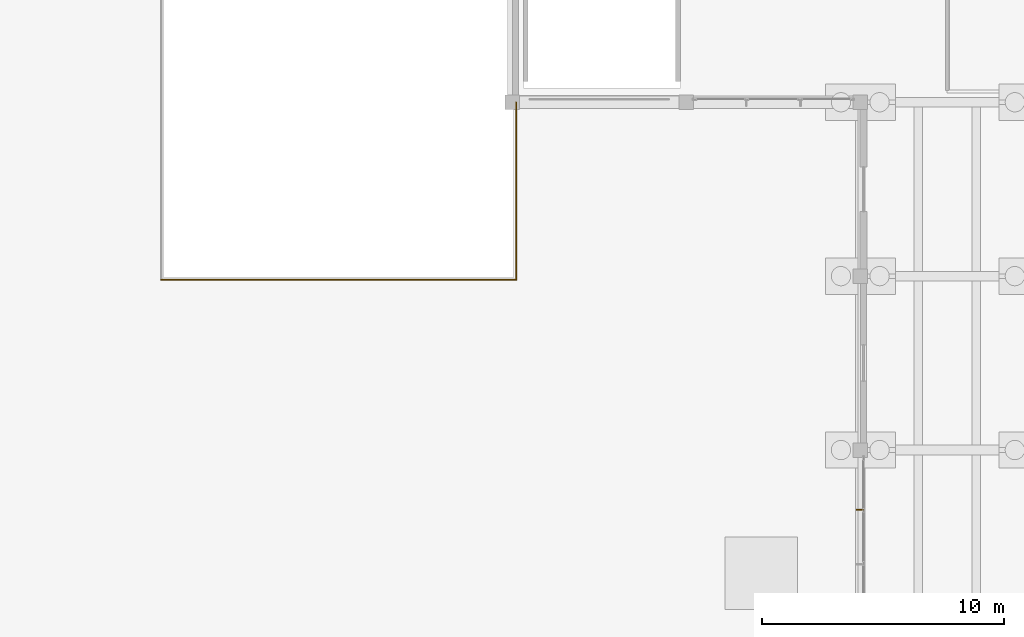
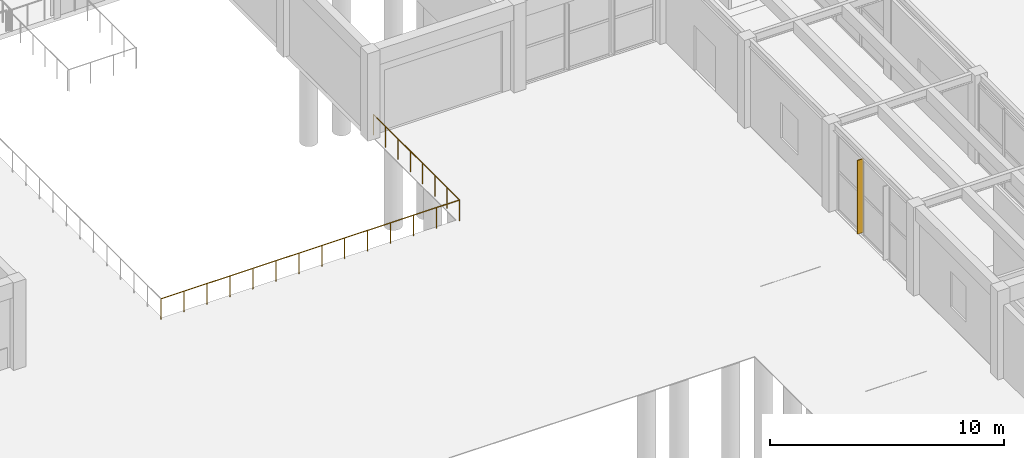
# One storey, part 132 of 155: 2 railings, 1 shading device.
"""IFC4 building model written with IfcOpenShell, lengths in metres."""

import ifcopenshell
import ifcopenshell.guid

model = None  # the IFC model being written
_history = None  # IfcOwnerHistory: only IFC2X3 demands one
_inside = {}  # id of a spatial element -> (the spatial element, [elements in it])
_under = {}  # id of a project, library or spatial element -> (it, [spatial elements below it])
_declared = {}  # id of a project -> (the project, [libraries it declares])
_typed = {}  # id of a type object -> (the type object, [elements of that type])
_made_of = {}  # id of a material, layer set ... -> (it, [elements and type objects made of it])


def new_model(schema):
    """Start an empty IFC model of exactly this schema.

    Asked for "IFC4X3", IfcOpenShell would pick the latest addendum, in which some entities
    have other attributes; the version numbers below select the first issue.
    IFC2X3 requires an IfcOwnerHistory on every rooted entity: one is made here for all.
    """
    global model, _history
    if schema == "IFC4X3":
        model = ifcopenshell.file(schema_version=(4, 3, 0, 0))
    else:
        model = ifcopenshell.file(schema=schema)
    _inside.clear()
    _under.clear()
    _declared.clear()
    _typed.clear()
    _made_of.clear()
    _history = None
    if model.schema == "IFC2X3":
        org = make("IfcOrganization", Name="unknown")
        user = make(
            "IfcPersonAndOrganization",
            ThePerson=make("IfcPerson", FamilyName="unknown"),
            TheOrganization=org,
        )
        app = make(
            "IfcApplication",
            ApplicationDeveloper=org,
            Version="unknown",
            ApplicationFullName="unknown",
            ApplicationIdentifier="unknown",
        )
        _history = make(
            "IfcOwnerHistory",
            OwningUser=user,
            OwningApplication=app,
            ChangeAction="ADDED",
            CreationDate=0,
        )
    return model


def make(cls, **values):
    """One entity of the class cls with the attributes given. An attribute that is None is left unset."""
    return model.create_entity(
        cls, **{name: value for name, value in values.items() if value is not None}
    )


def rooted(cls, **values):
    """An entity with a GlobalId (a new one), such as an element, a storey or a relation."""
    return make(cls, GlobalId=ifcopenshell.guid.new(), OwnerHistory=_history, **values)


def si_unit(unit_type, name, prefix=None):
    """IfcSIUnit, for example si_unit("LENGTHUNIT", "METRE", prefix="MILLI")."""
    return make("IfcSIUnit", UnitType=unit_type, Prefix=prefix, Name=name)


def assignment(units):
    """IfcUnitAssignment: the units of a project."""
    return None if units is None else make("IfcUnitAssignment", Units=units)


def point(xyz):
    """IfcCartesianPoint."""
    return None if xyz is None else make("IfcCartesianPoint", Coordinates=xyz)


def direction(xyz):
    """IfcDirection."""
    return None if xyz is None else make("IfcDirection", DirectionRatios=xyz)


def frame(location, z_axis=None, x_axis=None):
    """IfcAxis2Placement3D, a coordinate frame: its origin and axes. An axis left out is left unset."""
    return make(
        "IfcAxis2Placement3D",
        Location=point(location),
        Axis=direction(z_axis),
        RefDirection=direction(x_axis),
    )


def frame_2d(location, x_axis=None):
    """IfcAxis2Placement2D, a coordinate frame in the plane: its origin and x axis."""
    return make(
        "IfcAxis2Placement2D", Location=point(location), RefDirection=direction(x_axis)
    )


def origin():
    """The frame at (0, 0, 0) with its axes left unset."""
    return frame((0.0, 0.0, 0.0))


def origin_2d():
    """The frame at (0, 0) in the plane with its x axis left unset."""
    return frame_2d((0.0, 0.0))


def place(relative_to, where):
    """IfcLocalPlacement: puts the frame where relative to a parent placement (None: the world)."""
    return make(
        "IfcLocalPlacement", PlacementRelTo=relative_to, RelativePlacement=where
    )


def context(
    kind, dimensions, precision=None, world=None, true_north=None, identifier=None
):
    """IfcGeometricRepresentationContext, for example the 3D "Model" context."""
    return make(
        "IfcGeometricRepresentationContext",
        ContextIdentifier=identifier,
        ContextType=kind,
        CoordinateSpaceDimension=dimensions,
        Precision=precision,
        WorldCoordinateSystem=world,
        TrueNorth=true_north,
    )


def subcontext(parent, identifier, kind, view, scale=None):
    """IfcGeometricRepresentationSubContext, for example "Body" below "Model"."""
    return make(
        "IfcGeometricRepresentationSubContext",
        ContextIdentifier=identifier,
        ContextType=kind,
        ParentContext=parent,
        TargetScale=scale,
        TargetView=view,
    )


def project(units=None, contexts=None):
    """IfcProject with its units and contexts."""
    return rooted(
        "IfcProject",
        Name="project",
        RepresentationContexts=contexts,
        UnitsInContext=assignment(units),
    )


def spatial(cls, under=None, at=None, **own):
    """A site, building, storey or space (cls), placed at a placement, below another one or the project."""
    s = rooted(cls, ObjectPlacement=at, **own)
    if under is not None:
        _under.setdefault(under.id(), (under, []))[1].append(s)
    return s


def profile(cls, at=None, kind="AREA", **sizes):
    """A parametric profile (cls). Its sizes go by their IFC names, for example OverallWidth=200.0."""
    return make(cls, ProfileType=kind, Position=at, **sizes)


def rectangle(**sizes):
    """IfcRectangleProfileDef."""
    return profile("IfcRectangleProfileDef", **sizes)


def circle(**sizes):
    """IfcCircleProfileDef."""
    return profile("IfcCircleProfileDef", **sizes)


def extrude(swept, where, along, depth):
    """IfcExtrudedAreaSolid: the profile swept, set in the frame where, extruded along a direction by depth."""
    return make(
        "IfcExtrudedAreaSolid",
        SweptArea=swept,
        Position=where,
        ExtrudedDirection=direction(along),
        Depth=depth,
    )


def shape(context_of_items, identifier, shape_type, items):
    """IfcShapeRepresentation: the items that make up one representation, for example the "Body"."""
    return make(
        "IfcShapeRepresentation",
        ContextOfItems=context_of_items,
        RepresentationIdentifier=identifier,
        RepresentationType=shape_type,
        Items=items,
    )


def material(Name=None, Category=None):
    """IfcMaterial."""
    return make("IfcMaterial", Name=Name, Category=Category)


def layer(
    of_material, thickness, ventilated=None, Name=None, Category=None, Priority=None
):
    """IfcMaterialLayer: one layer of a wall or slab, of a material (None: an air gap)."""
    return make(
        "IfcMaterialLayer",
        Material=of_material,
        LayerThickness=thickness,
        IsVentilated=ventilated,
        Name=Name,
        Category=Category,
        Priority=Priority,
    )


def layer_set(layers, Name=None):
    """IfcMaterialLayerSet."""
    return make("IfcMaterialLayerSet", MaterialLayers=layers, LayerSetName=Name)


def made_of(thing, what):
    """Note that an element or type object is made of a material, layer set ...; save() writes the relation."""
    if what is not None:
        _made_of.setdefault(what.id(), (what, []))[1].append(thing)
    return thing


def type_object(cls, material=None, **own):
    """A type object (cls), such as IfcWallType, which elements share."""
    return made_of(rooted(cls, **own), material)


def element(
    cls,
    number,
    at=None,
    inside=None,
    cuts=None,
    type_object=None,
    material=None,
    context=None,
    identifier="Body",
    shape_type=None,
    held_by="IfcProductDefinitionShape",
    body=None,
    shapes=None,
    **own,
):
    """One element of the class cls, such as IfcWall. Its Tag is "e" and its number.

    at: its placement. inside: the storey or other place that contains it. cuts: it is an
    opening in that element (IfcRelVoidsElement). A single representation is given by context,
    identifier, shape_type and body (its items); several are given by shapes. held_by: the class
    of the entity that holds the representations. save() writes the other relations.
    """
    e = rooted(cls, Tag="e%d" % number, ObjectPlacement=at, **own)
    if body is not None:
        shapes = [shape(context, identifier, shape_type, body)]
    if shapes is not None:
        e.Representation = make(held_by, Representations=shapes)
    if inside is not None:
        _inside.setdefault(inside.id(), (inside, []))[1].append(e)
    if cuts is not None:
        rooted(
            "IfcRelVoidsElement", RelatingBuildingElement=cuts, RelatedOpeningElement=e
        )
    if type_object is not None:
        _typed.setdefault(type_object.id(), (type_object, []))[1].append(e)
    return made_of(e, material)


def aggregate(whole, parts):
    """IfcRelAggregates: a whole, such as a stair, and the parts it consists of."""
    return rooted("IfcRelAggregates", RelatingObject=whole, RelatedObjects=parts)


def save(model, path):
    """Write the relations noted so far, then the file.

    IfcRelAggregates (storeys below a building ...), IfcRelContainedInSpatialStructure (elements
    in a storey), IfcRelDefinesByType, IfcRelAssociatesMaterial and IfcRelDeclares: one each for
    every whole, place, type object, material and project.
    """
    for whole, parts in _under.values():
        aggregate(whole, parts)
    for where, things in _inside.values():
        rooted(
            "IfcRelContainedInSpatialStructure",
            RelatedElements=things,
            RelatingStructure=where,
        )
    for kind, things in _typed.values():
        rooted("IfcRelDefinesByType", RelatedObjects=things, RelatingType=kind)
    for what, things in _made_of.values():
        rooted("IfcRelAssociatesMaterial", RelatedObjects=things, RelatingMaterial=what)
    for by, libraries in _declared.values():
        rooted("IfcRelDeclares", RelatingContext=by, RelatedDefinitions=libraries)
    model.write(path)


model = new_model("IFC4")

# Units and contexts
model_context = context("Model", 3, precision=1e-05, world=origin(), true_north=direction((0.0, 1.0)))
body_context = subcontext(model_context, "Body", "Model", "MODEL_VIEW")
ifc_project = project(units=[si_unit("LENGTHUNIT", "METRE"), si_unit("AREAUNIT", "SQUARE_METRE"), si_unit("VOLUMEUNIT", "CUBIC_METRE"), si_unit("PLANEANGLEUNIT", "RADIAN"), si_unit("MASSUNIT", "GRAM", prefix="KILO")], contexts=[model_context])

# Site, building, storey
site_placement = place(None, origin())
site = spatial("IfcSite", under=ifc_project, at=site_placement, CompositionType="ELEMENT")
building_placement = place(site_placement, origin())
building = spatial("IfcBuilding", under=site, at=building_placement, Name="Bramvelor Terrace Health Centre", CompositionType="ELEMENT")
storey_placement = place(building_placement, origin())
storey = spatial("IfcBuildingStorey", under=building, at=storey_placement, Name="L01", CompositionType="ELEMENT", Elevation=0.0)

# Railings
ifc_material_1 = material(Name="Laminated safety glass and stainless steel", Category="steel")
railing_type = type_object("IfcRailingType", Name="RLG-TER-1100", PredefinedType="BALUSTRADE", material=ifc_material_1)
railing_1_placement = place(storey_placement, frame((28.64990234375, 28.64990234375, 0.0)))
element("IfcRailing", 1, at=railing_1_placement, inside=storey, type_object=railing_type, Name="L01 Sunken Forecourt Rim Balustrade 4", PredefinedType="BALUSTRADE", context=body_context, shape_type="SweptSolid", body=[
    extrude(circle(Radius=0.02392578125, at=origin_2d()), frame((0.0, 0.0, 1.076171875), z_axis=(1.0, 0.0, 0.0), x_axis=(0.0, 1.0, 0.0)), (0.0, 0.0, 1.0), 14.7001953125),
    extrude(circle(Radius=0.02099609375, at=origin_2d()), origin(), (0.0, 0.0, 1.0), 1.052001953125),
    extrude(circle(Radius=0.02099609375, at=origin_2d()), frame((1.130859375, 0.0, 0.0)), (0.0, 0.0, 1.0), 1.052001953125),
    extrude(circle(Radius=0.02099609375, at=origin_2d()), frame((2.261474609375, 0.0, 0.0)), (0.0, 0.0, 1.0), 1.052001953125),
    extrude(circle(Radius=0.02099609375, at=origin_2d()), frame((3.392333984375, 0.0, 0.0)), (0.0, 0.0, 1.0), 1.052001953125),
    extrude(circle(Radius=0.02099609375, at=origin_2d()), frame((4.523193359375, 0.0, 0.0)), (0.0, 0.0, 1.0), 1.052001953125),
    extrude(circle(Radius=0.02099609375, at=origin_2d()), frame((5.65380859375, 0.0, 0.0)), (0.0, 0.0, 1.0), 1.052001953125),
    extrude(circle(Radius=0.02099609375, at=origin_2d()), frame((6.78466796875, 0.0, 0.0)), (0.0, 0.0, 1.0), 1.052001953125),
    extrude(circle(Radius=0.02099609375, at=origin_2d()), frame((7.91552734375, 0.0, 0.0)), (0.0, 0.0, 1.0), 1.052001953125),
    extrude(circle(Radius=0.02099609375, at=origin_2d()), frame((9.04638671875, 0.0, 0.0)), (0.0, 0.0, 1.0), 1.052001953125),
    extrude(circle(Radius=0.02099609375, at=origin_2d()), frame((10.177001953125, 0.0, 0.0)), (0.0, 0.0, 1.0), 1.052001953125),
    extrude(circle(Radius=0.02099609375, at=origin_2d()), frame((11.307861328125, 0.0, 0.0)), (0.0, 0.0, 1.0), 1.052001953125),
    extrude(circle(Radius=0.02099609375, at=origin_2d()), frame((12.438720703125, 0.0, 0.0)), (0.0, 0.0, 1.0), 1.052001953125),
    extrude(circle(Radius=0.02099609375, at=origin_2d()), frame((13.5693359375, 0.0, 0.0)), (0.0, 0.0, 1.0), 1.052001953125),
    extrude(circle(Radius=0.02099609375, at=origin_2d()), frame((14.7001953125, 0.0, 0.0)), (0.0, 0.0, 1.0), 1.052001953125),
])
railing_2_placement = place(storey_placement, frame((43.35009765625, 28.64990234375, 0.0)))
element("IfcRailing", 2, at=railing_2_placement, inside=storey, type_object=railing_type, Name="L01 Sunken Forecourt Rim Balustrade 5", PredefinedType="BALUSTRADE", context=body_context, shape_type="SweptSolid", body=[
    extrude(circle(Radius=0.02392578125, at=origin_2d()), frame((0.0, 0.0, 1.076171875), z_axis=(0.0, 1.0, 0.0), x_axis=(-1.0, 0.0, 0.0)), (0.0, 0.0, 1.0), 7.35009765625),
    extrude(circle(Radius=0.02099609375, at=origin_2d()), origin(), (0.0, 0.0, 1.0), 1.052001953125),
    extrude(circle(Radius=0.02099609375, at=origin_2d()), frame((0.0, 1.050048828125, 0.0)), (0.0, 0.0, 1.0), 1.052001953125),
    extrude(circle(Radius=0.02099609375, at=origin_2d()), frame((0.0, 2.10009765625, 0.0)), (0.0, 0.0, 1.0), 1.052001953125),
    extrude(circle(Radius=0.02099609375, at=origin_2d()), frame((0.0, 3.150146484375, 0.0)), (0.0, 0.0, 1.0), 1.052001953125),
    extrude(circle(Radius=0.02099609375, at=origin_2d()), frame((0.0, 4.199951171875, 0.0)), (0.0, 0.0, 1.0), 1.052001953125),
    extrude(circle(Radius=0.02099609375, at=origin_2d()), frame((0.0, 5.25, 0.0)), (0.0, 0.0, 1.0), 1.052001953125),
    extrude(circle(Radius=0.02099609375, at=origin_2d()), frame((0.0, 6.300048828125, 0.0)), (0.0, 0.0, 1.0), 1.052001953125),
    extrude(circle(Radius=0.02099609375, at=origin_2d()), frame((0.0, 7.35009765625, 0.0)), (0.0, 0.0, 1.0), 1.052001953125),
])

# Shading device
ifc_material_2 = material(Name="Anodized aluminium 6063-T6", Category="aluminium")
ifc_layer = layer(ifc_material_2, 0.050048828125)
ifc_layer_set = layer_set([ifc_layer], Name="Anodized aluminium 6063-T6")
shading_device_type = type_object("IfcShadingDeviceType", Name="SHD-FIN-300", PredefinedType="JALOUSIE", material=ifc_layer_set)
shading_device_placement = place(storey_placement, frame((57.580078125, 19.123779296875, 0.14990234375), z_axis=(0.0, 0.0, 1.0), x_axis=(1.0, 0.0, 0.0)))
element("IfcShadingDevice", 3, at=shading_device_placement, inside=storey, type_object=shading_device_type, Name="L01 Solar Shading Louvre Fin 50", PredefinedType="JALOUSIE", context=body_context, shape_type="SweptSolid", body=[
    extrude(rectangle(XDim=0.300048828125, YDim=0.050048828125, at=origin_2d()), origin(), (0.0, 0.0, 1.0), 3.833984375),
])

save(model, "model.ifc")
